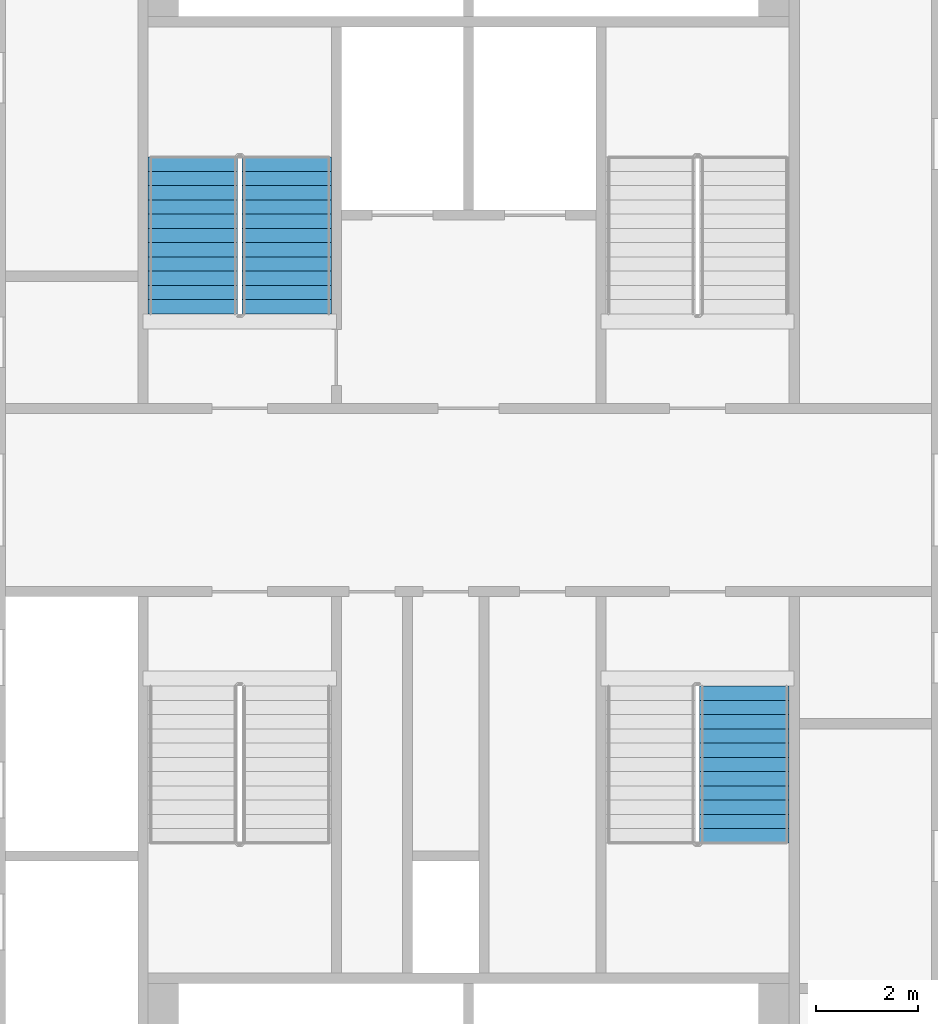
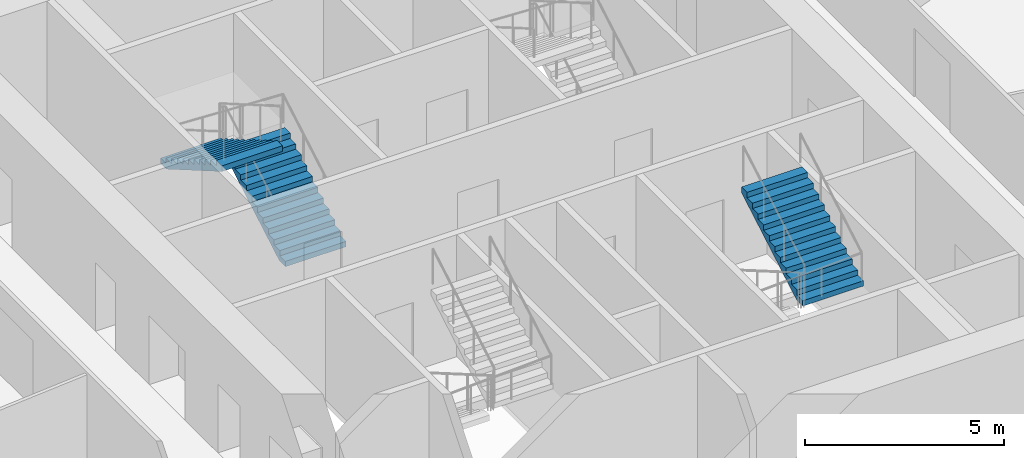
# One storey, part 9 of 15: 3 stair flights, 2 elements without a shape of their own.
"""IFC4 building model written with IfcOpenShell, lengths in metres."""

from ifc_helpers import new_model, si_unit, direction, frame, origin, place, context, subcontext, project, spatial, faceted_brep, material, type_object, element, aggregate, save


model = new_model("IFC4")

# Units and contexts
model_context = context("Model", 3, precision=1e-05, world=origin(), true_north=direction((0.0, 1.0)))
body_context = subcontext(model_context, "Body", "Model", "MODEL_VIEW")
ifc_project = project(units=[si_unit("LENGTHUNIT", "METRE"), si_unit("AREAUNIT", "SQUARE_METRE"), si_unit("VOLUMEUNIT", "CUBIC_METRE"), si_unit("PLANEANGLEUNIT", "RADIAN"), si_unit("MASSUNIT", "GRAM", prefix="KILO")], contexts=[model_context])

# Site, building, storey
site_placement = place(None, origin())
site = spatial("IfcSite", under=ifc_project, at=site_placement, CompositionType="ELEMENT")
building_placement = place(site_placement, origin())
building = spatial("IfcBuilding", under=site, at=building_placement, Name="Tarsis Ring Headquarters", CompositionType="ELEMENT")
storey_placement = place(building_placement, frame((0.0, 0.0, 67.300048828125)))
storey = spatial("IfcBuildingStorey", under=building, at=storey_placement, Name="L14", CompositionType="ELEMENT", Elevation=67.300048828125)

# Stair, stair flights
ifc_material_1 = material(Name="Core stair 1760")
stair_type = type_object("IfcStairType", Name="Core stair 1760", PredefinedType="HALF_TURN_STAIR", material=ifc_material_1)
stair_1_placement = place(storey_placement, origin())
stair_1 = element("IfcStair", 1, at=stair_1_placement, inside=storey, type_object=stair_type, Name="L14 Firefighting stair", PredefinedType="HALF_TURN_STAIR")
ifc_material_2 = material(Name="Concrete C40/50", Category="concrete")
stair_flight_type = type_object("IfcStairFlightType", Name="Core stair flight 1760", PredefinedType="STRAIGHT", material=ifc_material_2)
stair_flight_1_placement = place(storey_placement, frame((-3.580078125, 3.659912109375, 0.0), z_axis=(0.0, 0.0, 1.0), x_axis=(0.0, 1.0, 0.0)))
stair_flight_1 = element("IfcStairFlight", 2, at=stair_flight_1_placement, type_object=stair_flight_type, Name="Stair ST1 flight 1", NumberOfRisers=12, NumberOfTreads=11, PredefinedType="STRAIGHT", RiserHeight=0.1625, TreadLength=0.28, context=body_context, shape_type="Brep", body=[
    faceted_brep([(0.0, 0.8798828125, 0.0), (0.0, 0.8798828125, 0.16259765625), (0.280029296875, 0.8798828125, 0.16259765625), (0.280029296875, 0.8798828125, 0.324951171875), (0.56005859375, 0.8798828125, 0.324951171875), (0.56005859375, 0.8798828125, 0.487548828125), (0.840087890625, 0.8798828125, 0.487548828125), (0.840087890625, 0.8798828125, 0.64990234375), (1.1201171875, 0.8798828125, 0.64990234375), (1.1201171875, 0.8798828125, 0.8125), (1.39990234375, 0.8798828125, 0.8125), (1.39990234375, 0.8798828125, 0.97509765625), (1.679931640625, 0.8798828125, 0.97509765625), (1.679931640625, 0.8798828125, 1.137451171875), (1.9599609375, 0.8798828125, 1.137451171875), (1.9599609375, 0.8798828125, 1.300048828125), (2.239990234375, 0.8798828125, 1.300048828125), (2.239990234375, 0.8798828125, 1.46240234375), (2.52001953125, 0.8798828125, 1.46240234375), (2.52001953125, 0.8798828125, 1.625), (2.800048828125, 0.8798828125, 1.625), (2.800048828125, 0.8798828125, 1.78759765625), (3.080078125, 0.8798828125, 1.78759765625), (3.080078125, 0.8798828125, 1.6142578125), (0.298583984375, 0.8798828125, 0.0), (0.298583984375, -0.8798828125, 0.0), (3.080078125, -0.8798828125, 1.6142578125), (3.080078125, -0.8798828125, 1.78759765625), (2.800048828125, -0.8798828125, 1.78759765625), (2.800048828125, -0.8798828125, 1.625), (2.52001953125, -0.8798828125, 1.625), (2.52001953125, -0.8798828125, 1.46240234375), (2.239990234375, -0.8798828125, 1.46240234375), (2.239990234375, -0.8798828125, 1.300048828125), (1.9599609375, -0.8798828125, 1.300048828125), (1.9599609375, -0.8798828125, 1.137451171875), (1.679931640625, -0.8798828125, 1.137451171875), (1.679931640625, -0.8798828125, 0.97509765625), (1.39990234375, -0.8798828125, 0.97509765625), (1.39990234375, -0.8798828125, 0.8125), (1.1201171875, -0.8798828125, 0.8125), (1.1201171875, -0.8798828125, 0.64990234375), (0.840087890625, -0.8798828125, 0.64990234375), (0.840087890625, -0.8798828125, 0.487548828125), (0.56005859375, -0.8798828125, 0.487548828125), (0.56005859375, -0.8798828125, 0.324951171875), (0.280029296875, -0.8798828125, 0.324951171875), (0.280029296875, -0.8798828125, 0.16259765625), (0.0, -0.8798828125, 0.16259765625), (0.0, -0.8798828125, 0.0), (0.0, -0.43994140625, 0.16259765625), (0.0, -0.43994140625, 0.0), (0.0, 0.0, 0.16259765625), (0.0, 0.0, 0.0), (0.0, 0.43994140625, 0.16259765625), (0.0, 0.43994140625, 0.0), (0.280029296875, -0.43994140625, 0.16259765625), (0.280029296875, 0.0, 0.16259765625), (0.280029296875, 0.43994140625, 0.16259765625), (0.280029296875, -0.43994140625, 0.324951171875), (0.280029296875, 0.0, 0.324951171875), (0.280029296875, 0.43994140625, 0.324951171875), (0.56005859375, -0.43994140625, 0.324951171875), (0.56005859375, 0.0, 0.324951171875), (0.56005859375, 0.43994140625, 0.324951171875), (0.56005859375, -0.43994140625, 0.487548828125), (0.56005859375, 0.0, 0.487548828125), (0.56005859375, 0.43994140625, 0.487548828125), (0.840087890625, -0.43994140625, 0.487548828125), (0.840087890625, 0.0, 0.487548828125), (0.840087890625, 0.43994140625, 0.487548828125), (0.840087890625, -0.43994140625, 0.64990234375), (0.840087890625, 0.0, 0.64990234375), (0.840087890625, 0.43994140625, 0.64990234375), (1.1201171875, -0.43994140625, 0.64990234375), (1.1201171875, 0.0, 0.64990234375), (1.1201171875, 0.43994140625, 0.64990234375), (1.1201171875, -0.43994140625, 0.8125), (1.1201171875, 0.0, 0.8125), (1.1201171875, 0.43994140625, 0.8125), (1.39990234375, -0.43994140625, 0.8125), (1.39990234375, 0.0, 0.8125), (1.39990234375, 0.43994140625, 0.8125), (1.39990234375, -0.43994140625, 0.97509765625), (1.39990234375, 0.0, 0.97509765625), (1.39990234375, 0.43994140625, 0.97509765625), (1.679931640625, -0.43994140625, 0.97509765625), (1.679931640625, 0.0, 0.97509765625), (1.679931640625, 0.43994140625, 0.97509765625), (1.679931640625, -0.43994140625, 1.137451171875), (1.679931640625, 0.0, 1.137451171875), (1.679931640625, 0.43994140625, 1.137451171875), (1.9599609375, -0.43994140625, 1.137451171875), (1.9599609375, 0.0, 1.137451171875), (1.9599609375, 0.43994140625, 1.137451171875), (1.9599609375, -0.43994140625, 1.300048828125), (1.9599609375, 0.0, 1.300048828125), (1.9599609375, 0.43994140625, 1.300048828125), (2.239990234375, -0.43994140625, 1.300048828125), (2.239990234375, 0.0, 1.300048828125), (2.239990234375, 0.43994140625, 1.300048828125), (2.239990234375, -0.43994140625, 1.46240234375), (2.239990234375, 0.0, 1.46240234375), (2.239990234375, 0.43994140625, 1.46240234375), (2.52001953125, -0.43994140625, 1.46240234375), (2.52001953125, 0.0, 1.46240234375), (2.52001953125, 0.43994140625, 1.46240234375), (2.52001953125, -0.43994140625, 1.625), (2.52001953125, 0.0, 1.625), (2.52001953125, 0.43994140625, 1.625), (2.800048828125, -0.43994140625, 1.625), (2.800048828125, 0.0, 1.625), (2.800048828125, 0.43994140625, 1.625), (2.800048828125, -0.43994140625, 1.78759765625), (2.800048828125, 0.0, 1.78759765625), (2.800048828125, 0.43994140625, 1.78759765625), (3.080078125, -0.43994140625, 1.78759765625), (3.080078125, 0.0, 1.78759765625), (3.080078125, 0.43994140625, 1.78759765625), (3.080078125, -0.43994140625, 1.6142578125), (3.080078125, 0.0, 1.6142578125), (3.080078125, 0.43994140625, 1.6142578125), (0.298583984375, -0.43994140625, 0.0), (0.298583984375, 0.0, 0.0), (0.298583984375, 0.43994140625, 0.0)], [[[0, 1, 2, 3, 4, 5, 6, 7, 8, 9, 10, 11, 12, 13, 14, 15, 16, 17, 18, 19, 20, 21, 22, 23, 24]], [[25, 26, 27, 28, 29, 30, 31, 32, 33, 34, 35, 36, 37, 38, 39, 40, 41, 42, 43, 44, 45, 46, 47, 48, 49]], [[49, 48, 50, 51]], [[51, 50, 52, 53]], [[53, 52, 54, 55]], [[55, 54, 1, 0]], [[48, 47, 56, 50]], [[50, 56, 57, 52]], [[52, 57, 58, 54]], [[54, 58, 2, 1]], [[47, 46, 59, 56]], [[56, 59, 60, 57]], [[57, 60, 61, 58]], [[58, 61, 3, 2]], [[46, 45, 62, 59]], [[59, 62, 63, 60]], [[60, 63, 64, 61]], [[61, 64, 4, 3]], [[45, 44, 65, 62]], [[62, 65, 66, 63]], [[63, 66, 67, 64]], [[64, 67, 5, 4]], [[44, 43, 68, 65]], [[65, 68, 69, 66]], [[66, 69, 70, 67]], [[67, 70, 6, 5]], [[43, 42, 71, 68]], [[68, 71, 72, 69]], [[69, 72, 73, 70]], [[70, 73, 7, 6]], [[42, 41, 74, 71]], [[71, 74, 75, 72]], [[72, 75, 76, 73]], [[73, 76, 8, 7]], [[41, 40, 77, 74]], [[74, 77, 78, 75]], [[75, 78, 79, 76]], [[76, 79, 9, 8]], [[40, 39, 80, 77]], [[77, 80, 81, 78]], [[78, 81, 82, 79]], [[79, 82, 10, 9]], [[39, 38, 83, 80]], [[80, 83, 84, 81]], [[81, 84, 85, 82]], [[82, 85, 11, 10]], [[38, 37, 86, 83]], [[83, 86, 87, 84]], [[84, 87, 88, 85]], [[85, 88, 12, 11]], [[37, 36, 89, 86]], [[86, 89, 90, 87]], [[87, 90, 91, 88]], [[88, 91, 13, 12]], [[36, 35, 92, 89]], [[89, 92, 93, 90]], [[90, 93, 94, 91]], [[91, 94, 14, 13]], [[35, 34, 95, 92]], [[92, 95, 96, 93]], [[93, 96, 97, 94]], [[94, 97, 15, 14]], [[34, 33, 98, 95]], [[95, 98, 99, 96]], [[96, 99, 100, 97]], [[97, 100, 16, 15]], [[33, 32, 101, 98]], [[98, 101, 102, 99]], [[99, 102, 103, 100]], [[100, 103, 17, 16]], [[32, 31, 104, 101]], [[101, 104, 105, 102]], [[102, 105, 106, 103]], [[103, 106, 18, 17]], [[31, 30, 107, 104]], [[104, 107, 108, 105]], [[105, 108, 109, 106]], [[106, 109, 19, 18]], [[30, 29, 110, 107]], [[107, 110, 111, 108]], [[108, 111, 112, 109]], [[109, 112, 20, 19]], [[29, 28, 113, 110]], [[110, 113, 114, 111]], [[111, 114, 115, 112]], [[112, 115, 21, 20]], [[28, 27, 116, 113]], [[113, 116, 117, 114]], [[114, 117, 118, 115]], [[115, 118, 22, 21]], [[27, 26, 119, 116]], [[116, 119, 120, 117]], [[117, 120, 121, 118]], [[118, 121, 23, 22]], [[26, 25, 122, 119]], [[119, 122, 123, 120]], [[120, 123, 124, 121]], [[121, 124, 24, 23]], [[25, 49, 51, 122]], [[122, 51, 53, 123]], [[123, 53, 55, 124]], [[124, 55, 0, 24]]]),
])
stair_flight_2_placement = place(storey_placement, frame((-5.419921875, 6.739990234375, 1.949951171875), z_axis=(0.0, 0.0, 1.0), x_axis=(0.0, -1.0, 0.0)))
stair_flight_2 = element("IfcStairFlight", 3, at=stair_flight_2_placement, type_object=stair_flight_type, Name="Stair ST1 flight 2", NumberOfRisers=12, NumberOfTreads=11, PredefinedType="STRAIGHT", RiserHeight=0.1625, TreadLength=0.28, context=body_context, shape_type="Brep", body=[
    faceted_brep([(0.0, 0.8798828125, 0.0), (0.0, 0.8798828125, 0.16259765625), (0.280029296875, 0.8798828125, 0.16259765625), (0.280029296875, 0.8798828125, 0.324951171875), (0.56005859375, 0.8798828125, 0.324951171875), (0.56005859375, 0.8798828125, 0.487548828125), (0.840087890625, 0.8798828125, 0.487548828125), (0.840087890625, 0.8798828125, 0.64990234375), (1.1201171875, 0.8798828125, 0.64990234375), (1.1201171875, 0.8798828125, 0.8125), (1.39990234375, 0.8798828125, 0.8125), (1.39990234375, 0.8798828125, 0.97509765625), (1.679931640625, 0.8798828125, 0.97509765625), (1.679931640625, 0.8798828125, 1.137451171875), (1.9599609375, 0.8798828125, 1.137451171875), (1.9599609375, 0.8798828125, 1.300048828125), (2.239990234375, 0.8798828125, 1.300048828125), (2.239990234375, 0.8798828125, 1.46240234375), (2.52001953125, 0.8798828125, 1.46240234375), (2.52001953125, 0.8798828125, 1.625), (2.800048828125, 0.8798828125, 1.625), (2.800048828125, 0.8798828125, 1.78759765625), (3.080078125, 0.8798828125, 1.78759765625), (3.080078125, 0.8798828125, 1.6142578125), (0.298583984375, 0.8798828125, 0.0), (0.298583984375, -0.8798828125, 0.0), (3.080078125, -0.8798828125, 1.6142578125), (3.080078125, -0.8798828125, 1.78759765625), (2.800048828125, -0.8798828125, 1.78759765625), (2.800048828125, -0.8798828125, 1.625), (2.52001953125, -0.8798828125, 1.625), (2.52001953125, -0.8798828125, 1.46240234375), (2.239990234375, -0.8798828125, 1.46240234375), (2.239990234375, -0.8798828125, 1.300048828125), (1.9599609375, -0.8798828125, 1.300048828125), (1.9599609375, -0.8798828125, 1.137451171875), (1.679931640625, -0.8798828125, 1.137451171875), (1.679931640625, -0.8798828125, 0.97509765625), (1.39990234375, -0.8798828125, 0.97509765625), (1.39990234375, -0.8798828125, 0.8125), (1.1201171875, -0.8798828125, 0.8125), (1.1201171875, -0.8798828125, 0.64990234375), (0.840087890625, -0.8798828125, 0.64990234375), (0.840087890625, -0.8798828125, 0.487548828125), (0.56005859375, -0.8798828125, 0.487548828125), (0.56005859375, -0.8798828125, 0.324951171875), (0.280029296875, -0.8798828125, 0.324951171875), (0.280029296875, -0.8798828125, 0.16259765625), (0.0, -0.8798828125, 0.16259765625), (0.0, -0.8798828125, 0.0), (0.0, -0.43994140625, 0.16259765625), (0.0, -0.43994140625, 0.0), (0.0, 0.0, 0.16259765625), (0.0, 0.0, 0.0), (0.0, 0.43994140625, 0.16259765625), (0.0, 0.43994140625, 0.0), (0.280029296875, -0.43994140625, 0.16259765625), (0.280029296875, 0.0, 0.16259765625), (0.280029296875, 0.43994140625, 0.16259765625), (0.280029296875, -0.43994140625, 0.324951171875), (0.280029296875, 0.0, 0.324951171875), (0.280029296875, 0.43994140625, 0.324951171875), (0.56005859375, -0.43994140625, 0.324951171875), (0.56005859375, 0.0, 0.324951171875), (0.56005859375, 0.43994140625, 0.324951171875), (0.56005859375, -0.43994140625, 0.487548828125), (0.56005859375, 0.0, 0.487548828125), (0.56005859375, 0.43994140625, 0.487548828125), (0.840087890625, -0.43994140625, 0.487548828125), (0.840087890625, 0.0, 0.487548828125), (0.840087890625, 0.43994140625, 0.487548828125), (0.840087890625, -0.43994140625, 0.64990234375), (0.840087890625, 0.0, 0.64990234375), (0.840087890625, 0.43994140625, 0.64990234375), (1.1201171875, -0.43994140625, 0.64990234375), (1.1201171875, 0.0, 0.64990234375), (1.1201171875, 0.43994140625, 0.64990234375), (1.1201171875, -0.43994140625, 0.8125), (1.1201171875, 0.0, 0.8125), (1.1201171875, 0.43994140625, 0.8125), (1.39990234375, -0.43994140625, 0.8125), (1.39990234375, 0.0, 0.8125), (1.39990234375, 0.43994140625, 0.8125), (1.39990234375, -0.43994140625, 0.97509765625), (1.39990234375, 0.0, 0.97509765625), (1.39990234375, 0.43994140625, 0.97509765625), (1.679931640625, -0.43994140625, 0.97509765625), (1.679931640625, 0.0, 0.97509765625), (1.679931640625, 0.43994140625, 0.97509765625), (1.679931640625, -0.43994140625, 1.137451171875), (1.679931640625, 0.0, 1.137451171875), (1.679931640625, 0.43994140625, 1.137451171875), (1.9599609375, -0.43994140625, 1.137451171875), (1.9599609375, 0.0, 1.137451171875), (1.9599609375, 0.43994140625, 1.137451171875), (1.9599609375, -0.43994140625, 1.300048828125), (1.9599609375, 0.0, 1.300048828125), (1.9599609375, 0.43994140625, 1.300048828125), (2.239990234375, -0.43994140625, 1.300048828125), (2.239990234375, 0.0, 1.300048828125), (2.239990234375, 0.43994140625, 1.300048828125), (2.239990234375, -0.43994140625, 1.46240234375), (2.239990234375, 0.0, 1.46240234375), (2.239990234375, 0.43994140625, 1.46240234375), (2.52001953125, -0.43994140625, 1.46240234375), (2.52001953125, 0.0, 1.46240234375), (2.52001953125, 0.43994140625, 1.46240234375), (2.52001953125, -0.43994140625, 1.625), (2.52001953125, 0.0, 1.625), (2.52001953125, 0.43994140625, 1.625), (2.800048828125, -0.43994140625, 1.625), (2.800048828125, 0.0, 1.625), (2.800048828125, 0.43994140625, 1.625), (2.800048828125, -0.43994140625, 1.78759765625), (2.800048828125, 0.0, 1.78759765625), (2.800048828125, 0.43994140625, 1.78759765625), (3.080078125, -0.43994140625, 1.78759765625), (3.080078125, 0.0, 1.78759765625), (3.080078125, 0.43994140625, 1.78759765625), (3.080078125, -0.43994140625, 1.6142578125), (3.080078125, 0.0, 1.6142578125), (3.080078125, 0.43994140625, 1.6142578125), (0.298583984375, -0.43994140625, 0.0), (0.298583984375, 0.0, 0.0), (0.298583984375, 0.43994140625, 0.0)], [[[0, 1, 2, 3, 4, 5, 6, 7, 8, 9, 10, 11, 12, 13, 14, 15, 16, 17, 18, 19, 20, 21, 22, 23, 24]], [[25, 26, 27, 28, 29, 30, 31, 32, 33, 34, 35, 36, 37, 38, 39, 40, 41, 42, 43, 44, 45, 46, 47, 48, 49]], [[49, 48, 50, 51]], [[51, 50, 52, 53]], [[53, 52, 54, 55]], [[55, 54, 1, 0]], [[48, 47, 56, 50]], [[50, 56, 57, 52]], [[52, 57, 58, 54]], [[54, 58, 2, 1]], [[47, 46, 59, 56]], [[56, 59, 60, 57]], [[57, 60, 61, 58]], [[58, 61, 3, 2]], [[46, 45, 62, 59]], [[59, 62, 63, 60]], [[60, 63, 64, 61]], [[61, 64, 4, 3]], [[45, 44, 65, 62]], [[62, 65, 66, 63]], [[63, 66, 67, 64]], [[64, 67, 5, 4]], [[44, 43, 68, 65]], [[65, 68, 69, 66]], [[66, 69, 70, 67]], [[67, 70, 6, 5]], [[43, 42, 71, 68]], [[68, 71, 72, 69]], [[69, 72, 73, 70]], [[70, 73, 7, 6]], [[42, 41, 74, 71]], [[71, 74, 75, 72]], [[72, 75, 76, 73]], [[73, 76, 8, 7]], [[41, 40, 77, 74]], [[74, 77, 78, 75]], [[75, 78, 79, 76]], [[76, 79, 9, 8]], [[40, 39, 80, 77]], [[77, 80, 81, 78]], [[78, 81, 82, 79]], [[79, 82, 10, 9]], [[39, 38, 83, 80]], [[80, 83, 84, 81]], [[81, 84, 85, 82]], [[82, 85, 11, 10]], [[38, 37, 86, 83]], [[83, 86, 87, 84]], [[84, 87, 88, 85]], [[85, 88, 12, 11]], [[37, 36, 89, 86]], [[86, 89, 90, 87]], [[87, 90, 91, 88]], [[88, 91, 13, 12]], [[36, 35, 92, 89]], [[89, 92, 93, 90]], [[90, 93, 94, 91]], [[91, 94, 14, 13]], [[35, 34, 95, 92]], [[92, 95, 96, 93]], [[93, 96, 97, 94]], [[94, 97, 15, 14]], [[34, 33, 98, 95]], [[95, 98, 99, 96]], [[96, 99, 100, 97]], [[97, 100, 16, 15]], [[33, 32, 101, 98]], [[98, 101, 102, 99]], [[99, 102, 103, 100]], [[100, 103, 17, 16]], [[32, 31, 104, 101]], [[101, 104, 105, 102]], [[102, 105, 106, 103]], [[103, 106, 18, 17]], [[31, 30, 107, 104]], [[104, 107, 108, 105]], [[105, 108, 109, 106]], [[106, 109, 19, 18]], [[30, 29, 110, 107]], [[107, 110, 111, 108]], [[108, 111, 112, 109]], [[109, 112, 20, 19]], [[29, 28, 113, 110]], [[110, 113, 114, 111]], [[111, 114, 115, 112]], [[112, 115, 21, 20]], [[28, 27, 116, 113]], [[113, 116, 117, 114]], [[114, 117, 118, 115]], [[115, 118, 22, 21]], [[27, 26, 119, 116]], [[116, 119, 120, 117]], [[117, 120, 121, 118]], [[118, 121, 23, 22]], [[26, 25, 122, 119]], [[119, 122, 123, 120]], [[120, 123, 124, 121]], [[121, 124, 24, 23]], [[25, 49, 51, 122]], [[122, 51, 53, 123]], [[123, 53, 55, 124]], [[124, 55, 0, 24]]]),
])
aggregate(stair_1, [stair_flight_1, stair_flight_2])

# Stair, stair flight
stair_2_placement = place(storey_placement, origin())
stair_2 = element("IfcStair", 4, at=stair_2_placement, inside=storey, type_object=stair_type, Name="L14 Exit stair D", PredefinedType="HALF_TURN_STAIR")
stair_flight_3_placement = place(storey_placement, frame((5.419921875, -6.739990234375, 1.949951171875), z_axis=(0.0, 0.0, 1.0), x_axis=(0.0, 1.0, 0.0)))
stair_flight_3 = element("IfcStairFlight", 5, at=stair_flight_3_placement, type_object=stair_flight_type, Name="Stair ST4 flight 2", NumberOfRisers=12, NumberOfTreads=11, PredefinedType="STRAIGHT", RiserHeight=0.1625, TreadLength=0.28, context=body_context, shape_type="Brep", body=[
    faceted_brep([(0.0, 0.8798828125, 0.0), (0.0, 0.8798828125, 0.16259765625), (0.280029296875, 0.8798828125, 0.16259765625), (0.280029296875, 0.8798828125, 0.324951171875), (0.56005859375, 0.8798828125, 0.324951171875), (0.56005859375, 0.8798828125, 0.487548828125), (0.840087890625, 0.8798828125, 0.487548828125), (0.840087890625, 0.8798828125, 0.64990234375), (1.1201171875, 0.8798828125, 0.64990234375), (1.1201171875, 0.8798828125, 0.8125), (1.39990234375, 0.8798828125, 0.8125), (1.39990234375, 0.8798828125, 0.97509765625), (1.679931640625, 0.8798828125, 0.97509765625), (1.679931640625, 0.8798828125, 1.137451171875), (1.9599609375, 0.8798828125, 1.137451171875), (1.9599609375, 0.8798828125, 1.300048828125), (2.239990234375, 0.8798828125, 1.300048828125), (2.239990234375, 0.8798828125, 1.46240234375), (2.52001953125, 0.8798828125, 1.46240234375), (2.52001953125, 0.8798828125, 1.625), (2.800048828125, 0.8798828125, 1.625), (2.800048828125, 0.8798828125, 1.78759765625), (3.080078125, 0.8798828125, 1.78759765625), (3.080078125, 0.8798828125, 1.6142578125), (0.298583984375, 0.8798828125, 0.0), (0.298583984375, -0.8798828125, 0.0), (3.080078125, -0.8798828125, 1.6142578125), (3.080078125, -0.8798828125, 1.78759765625), (2.800048828125, -0.8798828125, 1.78759765625), (2.800048828125, -0.8798828125, 1.625), (2.52001953125, -0.8798828125, 1.625), (2.52001953125, -0.8798828125, 1.46240234375), (2.239990234375, -0.8798828125, 1.46240234375), (2.239990234375, -0.8798828125, 1.300048828125), (1.9599609375, -0.8798828125, 1.300048828125), (1.9599609375, -0.8798828125, 1.137451171875), (1.679931640625, -0.8798828125, 1.137451171875), (1.679931640625, -0.8798828125, 0.97509765625), (1.39990234375, -0.8798828125, 0.97509765625), (1.39990234375, -0.8798828125, 0.8125), (1.1201171875, -0.8798828125, 0.8125), (1.1201171875, -0.8798828125, 0.64990234375), (0.840087890625, -0.8798828125, 0.64990234375), (0.840087890625, -0.8798828125, 0.487548828125), (0.56005859375, -0.8798828125, 0.487548828125), (0.56005859375, -0.8798828125, 0.324951171875), (0.280029296875, -0.8798828125, 0.324951171875), (0.280029296875, -0.8798828125, 0.16259765625), (0.0, -0.8798828125, 0.16259765625), (0.0, -0.8798828125, 0.0), (0.0, -0.43994140625, 0.16259765625), (0.0, -0.43994140625, 0.0), (0.0, 0.0, 0.16259765625), (0.0, 0.0, 0.0), (0.0, 0.43994140625, 0.16259765625), (0.0, 0.43994140625, 0.0), (0.280029296875, -0.43994140625, 0.16259765625), (0.280029296875, 0.0, 0.16259765625), (0.280029296875, 0.43994140625, 0.16259765625), (0.280029296875, -0.43994140625, 0.324951171875), (0.280029296875, 0.0, 0.324951171875), (0.280029296875, 0.43994140625, 0.324951171875), (0.56005859375, -0.43994140625, 0.324951171875), (0.56005859375, 0.0, 0.324951171875), (0.56005859375, 0.43994140625, 0.324951171875), (0.56005859375, -0.43994140625, 0.487548828125), (0.56005859375, 0.0, 0.487548828125), (0.56005859375, 0.43994140625, 0.487548828125), (0.840087890625, -0.43994140625, 0.487548828125), (0.840087890625, 0.0, 0.487548828125), (0.840087890625, 0.43994140625, 0.487548828125), (0.840087890625, -0.43994140625, 0.64990234375), (0.840087890625, 0.0, 0.64990234375), (0.840087890625, 0.43994140625, 0.64990234375), (1.1201171875, -0.43994140625, 0.64990234375), (1.1201171875, 0.0, 0.64990234375), (1.1201171875, 0.43994140625, 0.64990234375), (1.1201171875, -0.43994140625, 0.8125), (1.1201171875, 0.0, 0.8125), (1.1201171875, 0.43994140625, 0.8125), (1.39990234375, -0.43994140625, 0.8125), (1.39990234375, 0.0, 0.8125), (1.39990234375, 0.43994140625, 0.8125), (1.39990234375, -0.43994140625, 0.97509765625), (1.39990234375, 0.0, 0.97509765625), (1.39990234375, 0.43994140625, 0.97509765625), (1.679931640625, -0.43994140625, 0.97509765625), (1.679931640625, 0.0, 0.97509765625), (1.679931640625, 0.43994140625, 0.97509765625), (1.679931640625, -0.43994140625, 1.137451171875), (1.679931640625, 0.0, 1.137451171875), (1.679931640625, 0.43994140625, 1.137451171875), (1.9599609375, -0.43994140625, 1.137451171875), (1.9599609375, 0.0, 1.137451171875), (1.9599609375, 0.43994140625, 1.137451171875), (1.9599609375, -0.43994140625, 1.300048828125), (1.9599609375, 0.0, 1.300048828125), (1.9599609375, 0.43994140625, 1.300048828125), (2.239990234375, -0.43994140625, 1.300048828125), (2.239990234375, 0.0, 1.300048828125), (2.239990234375, 0.43994140625, 1.300048828125), (2.239990234375, -0.43994140625, 1.46240234375), (2.239990234375, 0.0, 1.46240234375), (2.239990234375, 0.43994140625, 1.46240234375), (2.52001953125, -0.43994140625, 1.46240234375), (2.52001953125, 0.0, 1.46240234375), (2.52001953125, 0.43994140625, 1.46240234375), (2.52001953125, -0.43994140625, 1.625), (2.52001953125, 0.0, 1.625), (2.52001953125, 0.43994140625, 1.625), (2.800048828125, -0.43994140625, 1.625), (2.800048828125, 0.0, 1.625), (2.800048828125, 0.43994140625, 1.625), (2.800048828125, -0.43994140625, 1.78759765625), (2.800048828125, 0.0, 1.78759765625), (2.800048828125, 0.43994140625, 1.78759765625), (3.080078125, -0.43994140625, 1.78759765625), (3.080078125, 0.0, 1.78759765625), (3.080078125, 0.43994140625, 1.78759765625), (3.080078125, -0.43994140625, 1.6142578125), (3.080078125, 0.0, 1.6142578125), (3.080078125, 0.43994140625, 1.6142578125), (0.298583984375, -0.43994140625, 0.0), (0.298583984375, 0.0, 0.0), (0.298583984375, 0.43994140625, 0.0)], [[[0, 1, 2, 3, 4, 5, 6, 7, 8, 9, 10, 11, 12, 13, 14, 15, 16, 17, 18, 19, 20, 21, 22, 23, 24]], [[25, 26, 27, 28, 29, 30, 31, 32, 33, 34, 35, 36, 37, 38, 39, 40, 41, 42, 43, 44, 45, 46, 47, 48, 49]], [[49, 48, 50, 51]], [[51, 50, 52, 53]], [[53, 52, 54, 55]], [[55, 54, 1, 0]], [[48, 47, 56, 50]], [[50, 56, 57, 52]], [[52, 57, 58, 54]], [[54, 58, 2, 1]], [[47, 46, 59, 56]], [[56, 59, 60, 57]], [[57, 60, 61, 58]], [[58, 61, 3, 2]], [[46, 45, 62, 59]], [[59, 62, 63, 60]], [[60, 63, 64, 61]], [[61, 64, 4, 3]], [[45, 44, 65, 62]], [[62, 65, 66, 63]], [[63, 66, 67, 64]], [[64, 67, 5, 4]], [[44, 43, 68, 65]], [[65, 68, 69, 66]], [[66, 69, 70, 67]], [[67, 70, 6, 5]], [[43, 42, 71, 68]], [[68, 71, 72, 69]], [[69, 72, 73, 70]], [[70, 73, 7, 6]], [[42, 41, 74, 71]], [[71, 74, 75, 72]], [[72, 75, 76, 73]], [[73, 76, 8, 7]], [[41, 40, 77, 74]], [[74, 77, 78, 75]], [[75, 78, 79, 76]], [[76, 79, 9, 8]], [[40, 39, 80, 77]], [[77, 80, 81, 78]], [[78, 81, 82, 79]], [[79, 82, 10, 9]], [[39, 38, 83, 80]], [[80, 83, 84, 81]], [[81, 84, 85, 82]], [[82, 85, 11, 10]], [[38, 37, 86, 83]], [[83, 86, 87, 84]], [[84, 87, 88, 85]], [[85, 88, 12, 11]], [[37, 36, 89, 86]], [[86, 89, 90, 87]], [[87, 90, 91, 88]], [[88, 91, 13, 12]], [[36, 35, 92, 89]], [[89, 92, 93, 90]], [[90, 93, 94, 91]], [[91, 94, 14, 13]], [[35, 34, 95, 92]], [[92, 95, 96, 93]], [[93, 96, 97, 94]], [[94, 97, 15, 14]], [[34, 33, 98, 95]], [[95, 98, 99, 96]], [[96, 99, 100, 97]], [[97, 100, 16, 15]], [[33, 32, 101, 98]], [[98, 101, 102, 99]], [[99, 102, 103, 100]], [[100, 103, 17, 16]], [[32, 31, 104, 101]], [[101, 104, 105, 102]], [[102, 105, 106, 103]], [[103, 106, 18, 17]], [[31, 30, 107, 104]], [[104, 107, 108, 105]], [[105, 108, 109, 106]], [[106, 109, 19, 18]], [[30, 29, 110, 107]], [[107, 110, 111, 108]], [[108, 111, 112, 109]], [[109, 112, 20, 19]], [[29, 28, 113, 110]], [[110, 113, 114, 111]], [[111, 114, 115, 112]], [[112, 115, 21, 20]], [[28, 27, 116, 113]], [[113, 116, 117, 114]], [[114, 117, 118, 115]], [[115, 118, 22, 21]], [[27, 26, 119, 116]], [[116, 119, 120, 117]], [[117, 120, 121, 118]], [[118, 121, 23, 22]], [[26, 25, 122, 119]], [[119, 122, 123, 120]], [[120, 123, 124, 121]], [[121, 124, 24, 23]], [[25, 49, 51, 122]], [[122, 51, 53, 123]], [[123, 53, 55, 124]], [[124, 55, 0, 24]]]),
])
aggregate(stair_2, [stair_flight_3])

save(model, "model.ifc")
